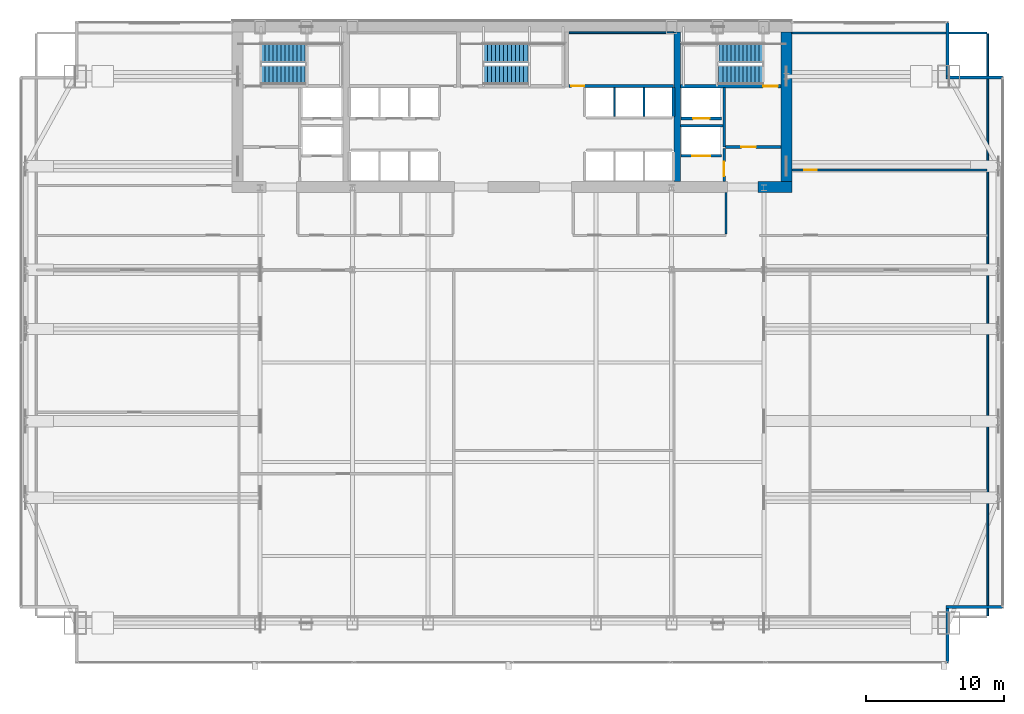
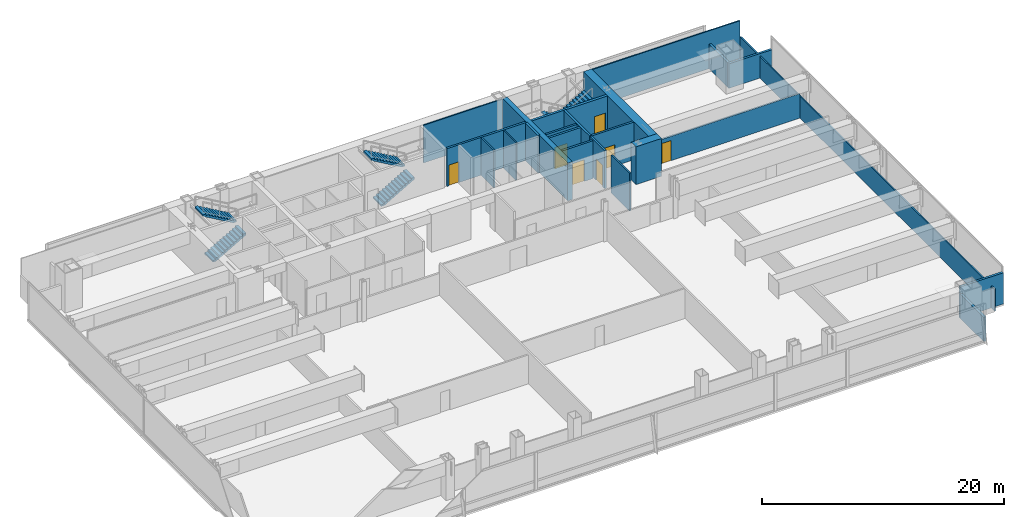
# One storey, part 29 of 32: 23 walls, 7 doors, 6 stair flights, 7 openings, 3 elements without a shape of their own.
"""IFC4 building model written with IfcOpenShell, lengths in metres."""

from ifc_helpers import new_model, si_unit, direction, frame, frame_2d, origin, place, context, subcontext, project, spatial, polyline, rectangle, outline, extrude, material, layer, layer_set, type_object, element, fill, aggregate, save


model = new_model("IFC4")

# Units and contexts
model_context = context("Model", 3, precision=1e-05, world=origin(), true_north=direction((0.0, 1.0)))
body_context = subcontext(model_context, "Body", "Model", "MODEL_VIEW")
ifc_project = project(units=[si_unit("LENGTHUNIT", "METRE"), si_unit("AREAUNIT", "SQUARE_METRE"), si_unit("VOLUMEUNIT", "CUBIC_METRE"), si_unit("PLANEANGLEUNIT", "RADIAN"), si_unit("MASSUNIT", "GRAM", prefix="KILO")], contexts=[model_context])

# Site, building, storey
site_placement = place(None, origin())
site = spatial("IfcSite", under=ifc_project, at=site_placement, CompositionType="ELEMENT")
building_placement = place(site_placement, origin())
building = spatial("IfcBuilding", under=site, at=building_placement, Name="Khoronbel Lancet Exchange", CompositionType="ELEMENT")
storey_placement = place(building_placement, frame((0.0, 0.0, 77.800048828125)))
storey = spatial("IfcBuildingStorey", under=building, at=storey_placement, Name="L18", CompositionType="ELEMENT", Elevation=77.800048828125)

# Walls
ifc_material_1 = material(Name="Concrete C80/95", Category="concrete")
ifc_layer_1 = layer(ifc_material_1, 0.800048828125, Name="Concrete C80/95")
ifc_layer_set_1 = layer_set([ifc_layer_1], Name="Concrete C80/95")
wall_type_1 = type_object("IfcWallType", Name="WL-CW1", PredefinedType="SHEAR", material=ifc_layer_set_1)
wall_1_placement = place(storey_placement, frame((56.300048828125, 52.89990234375, 0.0), z_axis=(0.0, 0.0, 1.0), x_axis=(0.0, -1.0, 0.0)))
element("IfcWall", 1, at=wall_1_placement, inside=storey, type_object=wall_type_1, Name="Level L18 rear core east shear wall", PredefinedType="SHEAR", context=body_context, shape_type="SweptSolid", body=[
    extrude(rectangle(XDim=10.7998046875, YDim=0.800048828125, at=frame_2d((5.39990234375, 0.0))), origin(), (0.0, 0.0, 1.0), 3.820068359375),
])
wall_2_placement = place(storey_placement, frame((56.699951171875, 41.699951171875, 0.0), z_axis=(0.0, 0.0, 1.0), x_axis=(-1.0, 0.0, 0.0)))
element("IfcWall", 2, at=wall_2_placement, inside=storey, type_object=wall_type_1, Name="Level L18 rear core south shear wall pier P5", PredefinedType="SHEAR", context=body_context, shape_type="SweptSolid", body=[
    extrude(rectangle(XDim=2.449951171875, YDim=0.800048828125, at=frame_2d((1.22509765625, 0.0))), origin(), (0.0, 0.0, 1.0), 3.820068359375),
])
ifc_material_2 = material(Name="Precast concrete C40/50", Category="concrete")
ifc_layer_2 = layer(ifc_material_2, 0.25, Name="Precast concrete C40/50")
ifc_layer_set_2 = layer_set([ifc_layer_2], Name="Precast concrete C40/50")
wall_type_2 = type_object("IfcWallType", Name="WL-EXT250", PredefinedType="SOLIDWALL", material=ifc_layer_set_2)
wall_3_placement = place(storey_placement, frame((67.9599609375, 53.6298828125, 0.0), z_axis=(0.0, 0.0, 1.0), x_axis=(0.0, -1.0, 0.0)))
element("IfcWall", 3, at=wall_3_placement, inside=storey, type_object=wall_type_2, Name="Level L18 notched-corner limestone pier 07", PredefinedType="SOLIDWALL", context=body_context, shape_type="SweptSolid", body=[
    extrude(rectangle(XDim=3.909912109375, YDim=0.219970703125, at=frame_2d((1.955078125, 0.0))), origin(), (0.0, 0.0, 1.0), 2.469970703125),
])
wall_4_placement = place(storey_placement, frame((67.85009765625, 49.610107421875, 0.0), z_axis=(0.0, 0.0, 1.0), x_axis=(1.0, 0.0, 0.0)))
element("IfcWall", 4, at=wall_4_placement, inside=storey, type_object=wall_type_2, Name="Level L18 notched-corner limestone pier 08", PredefinedType="SOLIDWALL", context=body_context, shape_type="SweptSolid", body=[
    extrude(rectangle(XDim=4.1298828125, YDim=0.219970703125, at=frame_2d((2.06494140625, 0.0))), origin(), (0.0, 0.0, 1.0), 2.469970703125),
])
wall_5_placement = place(storey_placement, frame((71.97998046875, 11.2900390625, 0.0), z_axis=(0.0, 0.0, 1.0), x_axis=(-1.0, 0.0, 0.0)))
element("IfcWall", 5, at=wall_5_placement, inside=storey, type_object=wall_type_2, Name="Level L18 notched-corner limestone pier 10", PredefinedType="SOLIDWALL", context=body_context, shape_type="SweptSolid", body=[
    extrude(rectangle(XDim=4.1298828125, YDim=0.219970703125, at=frame_2d((2.06494140625, 0.0))), origin(), (0.0, 0.0, 1.0), 3.159912109375),
])
wall_6_placement = place(storey_placement, frame((67.9599609375, 11.179931640625, 0.0), z_axis=(0.0, 0.0, 1.0), x_axis=(0.0, -1.0, 0.0)))
element("IfcWall", 6, at=wall_6_placement, inside=storey, type_object=wall_type_2, Name="Level L18 notched-corner limestone pier 11", PredefinedType="SOLIDWALL", context=body_context, shape_type="SweptSolid", body=[
    extrude(rectangle(XDim=3.909912109375, YDim=0.219970703125, at=frame_2d((1.955078125, 0.0))), origin(), (0.0, 0.0, 1.0), 2.469970703125),
])
ifc_material_3 = material(Name="Acoustic Metal-Stud & Mineral-Wool Gypsum Partition 120 mm", Category="gypsum")
ifc_layer_3 = layer(ifc_material_3, 0.1201171875, Name="Acoustic Metal-Stud & Mineral-Wool Gypsum Partition 120 mm")
ifc_layer_set_3 = layer_set([ifc_layer_3], Name="Acoustic Metal-Stud & Mineral-Wool Gypsum Partition 120 mm")
wall_type_3 = type_object("IfcWallType", Name="WL-PRT120", PredefinedType="PARTITIONING", material=ifc_layer_set_3)
wall_7_placement = place(storey_placement, frame((51.949951171875, 38.280029296875, 0.0), z_axis=(0.0, 0.0, 1.0), x_axis=(0.0, 1.0, 0.0)))
element("IfcWall", 7, at=wall_7_placement, inside=storey, type_object=wall_type_3, Name="Level L18 interior partition PW-NP-1", PredefinedType="PARTITIONING", context=body_context, shape_type="SweptSolid", body=[
    extrude(rectangle(XDim=3.02001953125, YDim=0.14990234375, at=frame_2d((1.510009765625, 0.0))), origin(), (0.0, 0.0, 1.0), 3.820068359375),
])

# Wall, opening, door
wall_8_placement = place(storey_placement, frame((56.699951171875, 42.919921875, 0.0), z_axis=(0.0, 0.0, 1.0), x_axis=(1.0, 0.0, 0.0)))
wall_8 = element("IfcWall", 8, at=wall_8_placement, inside=storey, type_object=wall_type_3, Name="Level L18 interior partition PW-NE-H", PredefinedType="PARTITIONING", context=body_context, shape_type="SweptSolid", body=[
    extrude(rectangle(XDim=14.10498046875, YDim=0.14990234375, at=frame_2d((7.052490234375, 0.0))), origin(), (0.0, 0.0, 1.0), 2.469970703125),
])
opening_1_placement = place(wall_8_placement, frame((0.89990234375, 0.0, 0.0)))
opening_1 = element("IfcOpeningElement", 9, at=opening_1_placement, cuts=wall_8, Name="Opening D5", PredefinedType="OPENING", context=body_context, shape_type="SweptSolid", body=[
    extrude(rectangle(XDim=0.89990234375, YDim=2.050048828125, at=frame_2d((0.449951171875, 1.02490234375))), frame((0.0, 0.0849609375, 0.0), z_axis=(0.0, -1.0, 0.0), x_axis=(1.0, 0.0, 0.0)), (0.0, 0.0, 1.0), 0.169921875),
])
ifc_material_4 = material(Name="Acoustic Timber Pantry & Support Door", Category="wood")
door_type_1 = type_object("IfcDoorType", Name="DR-D5", OperationType="NOTDEFINED", PredefinedType="DOOR", material=ifc_material_4)
door_1_placement = place(opening_1_placement, origin())
door_1 = element("IfcDoor", 10, at=door_1_placement, inside=storey, type_object=door_type_1, Name="NE north room door L18-1", OperationType="SINGLE_SWING_RIGHT", OverallHeight=2.050048828125, OverallWidth=0.89990234375, PredefinedType="DOOR", context=body_context, shape_type="SweptSolid", body=[
    extrude(rectangle(XDim=0.89990234375, YDim=2.050048828125, at=frame_2d((0.449951171875, 1.02490234375))), frame((0.0, 0.02490234375, 0.0), z_axis=(0.0, -1.0, 0.0), x_axis=(1.0, 0.0, 0.0)), (0.0, 0.0, 1.0), 0.050048828125),
])
fill(opening_1, door_1)

# Walls
wall_9_placement = place(storey_placement, frame((70.8701171875, 10.6650390625, 0.0), z_axis=(0.0, 0.0, 1.0), x_axis=(0.0, 1.0, 0.0)))
element("IfcWall", 11, at=wall_9_placement, inside=storey, type_object=wall_type_3, Name="Level L18 interior partition PW-LIN-E", PredefinedType="PARTITIONING", context=body_context, shape_type="SweptSolid", body=[
    extrude(rectangle(XDim=42.10986328125, YDim=0.1201171875, at=frame_2d((21.054931640625, 0.0))), origin(), (0.0, 0.0, 1.0), 2.2099609375),
])
wall_10_placement = place(storey_placement, frame((56.699951171875, 52.840087890625, 0.0), z_axis=(0.0, 0.0, 1.0), x_axis=(1.0, 0.0, 0.0)))
element("IfcWall", 12, at=wall_10_placement, inside=storey, type_object=wall_type_3, Name="Level L18 interior partition PW-LIN-NE", PredefinedType="PARTITIONING", context=body_context, shape_type="SweptSolid", body=[
    extrude(rectangle(XDim=14.10498046875, YDim=0.1201171875, at=frame_2d((7.052490234375, 0.0))), origin(), (0.0, 0.0, 1.0), 3.820068359375),
])
ifc_material_5 = material(Name="Fire-Rated Metal-Stud & Mineral-Wool Gypsum Partition 120 mm", Category="gypsum")
ifc_layer_4 = layer(ifc_material_5, 0.1201171875, Name="Fire-Rated Metal-Stud & Mineral-Wool Gypsum Partition 120 mm")
ifc_layer_set_4 = layer_set([ifc_layer_4], Name="Fire-Rated Metal-Stud & Mineral-Wool Gypsum Partition 120 mm")
wall_type_4 = type_object("IfcWallType", Name="WL-PRT120F", PredefinedType="PARTITIONING", material=ifc_layer_set_4)
for number, where, z_axis, x_axis, name in (
    (13, (43.860107421875, 46.804931640625, 0.0), (0.0, 0.0, 1.0), (0.0, 1.0, 0.0), "Level L18 interior partition CW-PH-D1"),
    (14, (46.0, 46.804931640625, 0.0), (0.0, 0.0, 1.0), (0.0, 1.0, 0.0), "Level L18 interior partition CW-PH-D2"),
):
    element("IfcWall", number, at=place(storey_placement, frame(where, z_axis=z_axis, x_axis=x_axis)), inside=storey, type_object=wall_type_4, Name=name, PredefinedType="PARTITIONING", context=body_context, shape_type="SweptSolid", body=[
        extrude(rectangle(XDim=2.090087890625, YDim=0.1201171875, at=frame_2d((1.044921875, 0.0))), origin(), (0.0, 0.0, 1.0), 3.820068359375),
    ])
wall_11_placement = place(storey_placement, frame((40.580078125, 52.860107421875, 0.0), z_axis=(0.0, 0.0, 1.0), x_axis=(1.0, 0.0, 0.0)))
element("IfcWall", 15, at=wall_11_placement, inside=storey, type_object=wall_type_4, Name="Level L18 interior partition CW-SUP-NE-N", PredefinedType="PARTITIONING", context=body_context, shape_type="SweptSolid", body=[
    extrude(rectangle(XDim=7.559814453125, YDim=0.1201171875, at=frame_2d((3.77978515625, 0.0))), origin(), (0.0, 0.0, 1.0), 3.820068359375),
])

# Wall, opening, door
ifc_material_6 = material(Name="Autoclaved Aerated Concrete Blockwork 200 mm", Category="masonry")
ifc_layer_5 = layer(ifc_material_6, 0.199951171875, Name="Autoclaved Aerated Concrete Blockwork 200 mm")
ifc_layer_set_5 = layer_set([ifc_layer_5], Name="Autoclaved Aerated Concrete Blockwork 200 mm")
wall_type_5 = type_object("IfcWallType", Name="WL-PRT200", PredefinedType="PARTITIONING", material=ifc_layer_set_5)
wall_12_placement = place(storey_placement, frame((51.610107421875, 43.949951171875, 0.0), z_axis=(0.0, 0.0, 1.0), x_axis=(-1.0, 0.0, 0.0)))
wall_12 = element("IfcWall", 16, at=wall_12_placement, inside=storey, type_object=wall_type_5, Name="Level L18 elevator hoistway landing front wall SVLE", PredefinedType="PARTITIONING", context=body_context, shape_type="SweptSolid", body=[
    extrude(rectangle(XDim=2.920166015625, YDim=0.199951171875, at=frame_2d((1.4599609375, 0.0))), origin(), (0.0, 0.0, 1.0), 3.820068359375),
])
opening_2_placement = place(wall_12_placement, frame((0.81005859375, 0.0, 0.0)))
opening_2 = element("IfcOpeningElement", 17, at=opening_2_placement, cuts=wall_12, Name="Opening LD-SVL2", PredefinedType="OPENING", context=body_context, shape_type="SweptSolid", body=[
    extrude(rectangle(XDim=1.300048828125, YDim=2.179931640625, at=frame_2d((0.64990234375, 1.08984375))), frame((0.0, 0.10986328125, 0.0), z_axis=(0.0, -1.0, 0.0), x_axis=(1.0, 0.0, 0.0)), (0.0, 0.0, 1.0), 0.219970703125),
])
ifc_material_7 = material(Name="Heavy-Duty Bi-Parting Goods Lift Landing Door", Category="steel")
door_type_2 = type_object("IfcDoorType", Name="DR-LD-SVL", OperationType="NOTDEFINED", PredefinedType="DOOR", material=ifc_material_7)
door_2_placement = place(opening_2_placement, origin())
door_2 = element("IfcDoor", 18, at=door_2_placement, inside=storey, type_object=door_type_2, Name="Elevator landing sliding door LD-SVL2 L18", OperationType="SLIDING_TO_LEFT", OverallHeight=2.179931640625, OverallWidth=1.300048828125, PredefinedType="DOOR", context=body_context, shape_type="SweptSolid", body=[
    extrude(rectangle(XDim=1.300048828125, YDim=2.179931640625, at=frame_2d((0.64990234375, 1.08984375))), frame((0.0, 0.02490234375, 0.0), z_axis=(0.0, -1.0, 0.0), x_axis=(1.0, 0.0, 0.0)), (0.0, 0.0, 1.0), 0.050048828125),
])
fill(opening_2, door_2)

wall_13_placement = place(storey_placement, frame((51.610107421875, 46.64990234375, 0.0), z_axis=(0.0, 0.0, 1.0), x_axis=(-1.0, 0.0, 0.0)))
wall_13 = element("IfcWall", 19, at=wall_13_placement, inside=storey, type_object=wall_type_5, Name="Level L18 elevator hoistway landing front wall FFLE", PredefinedType="PARTITIONING", context=body_context, shape_type="SweptSolid", body=[
    extrude(rectangle(XDim=2.920166015625, YDim=0.199951171875, at=frame_2d((1.4599609375, 0.0))), origin(), (0.0, 0.0, 1.0), 3.820068359375),
])
opening_3_placement = place(wall_13_placement, frame((0.860107421875, 0.0, 0.0)))
opening_3 = element("IfcOpeningElement", 20, at=opening_3_placement, cuts=wall_13, Name="Opening LD-FFL2", PredefinedType="OPENING", context=body_context, shape_type="SweptSolid", body=[
    extrude(rectangle(XDim=1.199951171875, YDim=2.179931640625, at=frame_2d((0.60009765625, 1.08984375))), frame((0.0, 0.10986328125, 0.0), z_axis=(0.0, -1.0, 0.0), x_axis=(1.0, 0.0, 0.0)), (0.0, 0.0, 1.0), 0.219970703125),
])
ifc_material_8 = material(Name="Fire-Rated Stainless Bi-Parting Firefighting Lift Door", Category="steel")
door_type_3 = type_object("IfcDoorType", Name="DR-LD-FFL", OperationType="NOTDEFINED", PredefinedType="DOOR", material=ifc_material_8)
door_3_placement = place(opening_3_placement, origin())
door_3 = element("IfcDoor", 21, at=door_3_placement, inside=storey, type_object=door_type_3, Name="Elevator landing sliding door LD-FFL2 L18", OperationType="SLIDING_TO_LEFT", OverallHeight=2.179931640625, OverallWidth=1.199951171875, PredefinedType="DOOR", context=body_context, shape_type="SweptSolid", body=[
    extrude(rectangle(XDim=1.199951171875, YDim=2.179931640625, at=frame_2d((0.60009765625, 1.08984375))), frame((0.0, 0.02490234375, 0.0), z_axis=(0.0, -1.0, 0.0), x_axis=(1.0, 0.0, 0.0)), (0.0, 0.0, 1.0), 0.050048828125),
])
fill(opening_3, door_3)

# Wall
wall_14_placement = place(storey_placement, frame((51.800048828125, 44.60009765625, 0.0), z_axis=(0.0, 0.0, 1.0), x_axis=(0.0, 1.0, 0.0)))
element("IfcWall", 22, at=wall_14_placement, inside=storey, type_object=wall_type_5, Name="Level L18 interior partition CW-FFLE-W", PredefinedType="PARTITIONING", context=body_context, shape_type="SweptSolid", body=[
    extrude(rectangle(XDim=4.2998046875, YDim=0.199951171875, at=frame_2d((2.14990234375, 0.0))), origin(), (0.0, 0.0, 1.0), 3.820068359375),
])

# Wall, opening, door
wall_15_placement = place(storey_placement, frame((51.89990234375, 44.60009765625, 0.0), z_axis=(0.0, 0.0, 1.0), x_axis=(1.0, 0.0, 0.0)))
wall_15 = element("IfcWall", 23, at=wall_15_placement, inside=storey, type_object=wall_type_5, Name="Level L18 interior partition CW-FFLE-S", PredefinedType="PARTITIONING", context=body_context, shape_type="SweptSolid", body=[
    extrude(rectangle(XDim=4.0, YDim=0.199951171875, at=frame_2d((2.0, 0.0))), origin(), (0.0, 0.0, 1.0), 3.820068359375),
])
opening_4_placement = place(wall_15_placement, frame((1.14990234375, 0.0, 0.0)))
opening_4 = element("IfcOpeningElement", 24, at=opening_4_placement, cuts=wall_15, Name="Opening FD1", PredefinedType="OPENING", context=body_context, shape_type="SweptSolid", body=[
    extrude(rectangle(XDim=1.050048828125, YDim=2.14990234375, at=frame_2d((0.52490234375, 1.074951171875))), frame((0.0, 0.10986328125, 0.0), z_axis=(0.0, -1.0, 0.0), x_axis=(1.0, 0.0, 0.0)), (0.0, 0.0, 1.0), 0.219970703125),
])
ifc_material_9 = material(Name="Fire-Rated Painted Steel Door Assembly", Category="steel")
door_type_4 = type_object("IfcDoorType", Name="DR-FD1", OperationType="NOTDEFINED", PredefinedType="DOOR", material=ifc_material_9)
door_4_placement = place(opening_4_placement, origin())
door_4 = element("IfcDoor", 25, at=door_4_placement, inside=storey, type_object=door_type_4, Name="East firefighting lobby FD90S door L18-1", OperationType="SINGLE_SWING_RIGHT", OverallHeight=2.14990234375, OverallWidth=1.050048828125, PredefinedType="DOOR", context=body_context, shape_type="SweptSolid", body=[
    extrude(rectangle(XDim=1.050048828125, YDim=2.14990234375, at=frame_2d((0.52490234375, 1.074951171875))), frame((0.0, 0.02490234375, 0.0), z_axis=(0.0, -1.0, 0.0), x_axis=(1.0, 0.0, 0.0)), (0.0, 0.0, 1.0), 0.050048828125),
])
fill(opening_4, door_4)

# Wall
wall_16_placement = place(storey_placement, frame((48.6298828125, 46.1201171875, 0.0), z_axis=(0.0, 0.0, 1.0), x_axis=(1.0, 0.0, 0.0)))
element("IfcWall", 26, at=wall_16_placement, inside=storey, type_object=wall_type_5, Name="Level L18 interior partition CW-FFL2-S", PredefinedType="PARTITIONING", context=body_context, shape_type="SweptSolid", body=[
    extrude(rectangle(XDim=3.070068359375, YDim=0.199951171875, at=frame_2d((1.53515625, 0.0))), origin(), (0.0, 0.0, 1.0), 3.820068359375),
])

# Wall, opening, door
wall_17_placement = place(storey_placement, frame((51.800048828125, 42.10009765625, 0.0), z_axis=(0.0, 0.0, 1.0), x_axis=(0.0, 1.0, 0.0)))
wall_17 = element("IfcWall", 27, at=wall_17_placement, inside=storey, type_object=wall_type_5, Name="Level L18 interior partition CW-SVLE-E", PredefinedType="PARTITIONING", context=body_context, shape_type="SweptSolid", body=[
    extrude(rectangle(XDim=2.39501953125, YDim=0.199951171875, at=frame_2d((1.197509765625, 0.0))), origin(), (0.0, 0.0, 1.0), 3.820068359375),
])
opening_5_placement = place(wall_17_placement, frame((0.3798828125, 0.0, 0.0)))
opening_5 = element("IfcOpeningElement", 28, at=opening_5_placement, cuts=wall_17, Name="Opening FD1", PredefinedType="OPENING", context=body_context, shape_type="SweptSolid", body=[
    extrude(rectangle(XDim=1.050048828125, YDim=2.14990234375, at=frame_2d((0.52490234375, 1.074951171875))), frame((0.0, 0.10986328125, 0.0), z_axis=(0.0, -1.0, 0.0), x_axis=(1.0, 0.0, 0.0)), (0.0, 0.0, 1.0), 0.219970703125),
])
door_5_placement = place(opening_5_placement, origin())
door_5 = element("IfcDoor", 29, at=door_5_placement, inside=storey, type_object=door_type_4, Name="East service lift lobby door L18-1", OperationType="SINGLE_SWING_LEFT", OverallHeight=2.14990234375, OverallWidth=1.050048828125, PredefinedType="DOOR", context=body_context, shape_type="SweptSolid", body=[
    extrude(rectangle(XDim=1.050048828125, YDim=2.14990234375, at=frame_2d((0.52490234375, 1.074951171875))), frame((0.0, 0.02490234375, 0.0), z_axis=(0.0, -1.0, 0.0), x_axis=(1.0, 0.0, 0.0)), (0.0, 0.0, 1.0), 0.050048828125),
])
fill(opening_5, door_5)

# Wall
wall_18_placement = place(storey_placement, frame((48.139892578125, 46.804931640625, 0.0), z_axis=(0.0, 0.0, 1.0), x_axis=(0.0, 1.0, 0.0)))
element("IfcWall", 30, at=wall_18_placement, inside=storey, type_object=wall_type_5, Name="Level L18 interior partition CW-PH-E", PredefinedType="PARTITIONING", context=body_context, shape_type="SweptSolid", body=[
    extrude(rectangle(XDim=2.090087890625, YDim=0.199951171875, at=frame_2d((1.044921875, 0.0))), origin(), (0.0, 0.0, 1.0), 3.820068359375),
])

# Wall, opening, door
wall_19_placement = place(storey_placement, frame((40.580078125, 49.0, 0.0), z_axis=(0.0, 0.0, 1.0), x_axis=(1.0, 0.0, 0.0)))
wall_19 = element("IfcWall", 31, at=wall_19_placement, inside=storey, type_object=wall_type_5, Name="Level L18 interior partition CW-SUP-NE-S", PredefinedType="PARTITIONING", context=body_context, shape_type="SweptSolid", body=[
    extrude(rectangle(XDim=7.559814453125, YDim=0.199951171875, at=frame_2d((3.77978515625, 0.0))), origin(), (0.0, 0.0, 1.0), 3.820068359375),
])
opening_6_placement = place(wall_19_placement, frame((0.159912109375, 0.0, 0.0)))
opening_6 = element("IfcOpeningElement", 32, at=opening_6_placement, cuts=wall_19, Name="Opening FD3", PredefinedType="OPENING", context=body_context, shape_type="SweptSolid", body=[
    extrude(rectangle(XDim=0.949951171875, YDim=2.10009765625, at=frame_2d((0.47509765625, 1.050048828125))), frame((0.0, 0.10986328125, 0.0), z_axis=(0.0, -1.0, 0.0), x_axis=(1.0, 0.0, 0.0)), (0.0, 0.0, 1.0), 0.219970703125),
])
ifc_material_10 = material(Name="Fire-Rated Steel Plant & Riser Door Assembly", Category="steel")
door_type_5 = type_object("IfcDoorType", Name="DR-FD3", OperationType="NOTDEFINED", PredefinedType="DOOR", material=ifc_material_10)
door_6_placement = place(opening_6_placement, origin())
door_6 = element("IfcDoor", 33, at=door_6_placement, inside=storey, type_object=door_type_5, Name="Core NE support room door L18-1", OperationType="SINGLE_SWING_LEFT", OverallHeight=2.10009765625, OverallWidth=0.949951171875, PredefinedType="DOOR", context=body_context, shape_type="SweptSolid", body=[
    extrude(rectangle(XDim=0.949951171875, YDim=2.10009765625, at=frame_2d((0.47509765625, 1.050048828125))), frame((0.0, 0.02490234375, 0.0), z_axis=(0.0, -1.0, 0.0), x_axis=(1.0, 0.0, 0.0)), (0.0, 0.0, 1.0), 0.050048828125),
])
fill(opening_6, door_6)

# Wall
ifc_layer_6 = layer(ifc_material_1, 0.449951171875, Name="Concrete C80/95")
ifc_layer_set_6 = layer_set([ifc_layer_6], Name="Concrete C80/95")
wall_type_6 = type_object("IfcWallType", Name="WL-SW1", PredefinedType="SHEAR", material=ifc_layer_set_6)
wall_20_placement = place(storey_placement, frame((48.39990234375, 42.10009765625, 0.0), z_axis=(0.0, 0.0, 1.0), x_axis=(0.0, 1.0, 0.0)))
element("IfcWall", 34, at=wall_20_placement, inside=storey, type_object=wall_type_6, Name="Level L18 rear core internal spine shear wall IE", PredefinedType="SHEAR", context=body_context, shape_type="SweptSolid", body=[
    extrude(rectangle(XDim=10.7998046875, YDim=0.449951171875, at=frame_2d((5.39990234375, 0.0))), origin(), (0.0, 0.0, 1.0), 3.820068359375),
])

# Wall, opening, door
ifc_material_11 = material(Name="Concrete C60/75", Category="concrete")
ifc_layer_7 = layer(ifc_material_11, 0.260009765625, Name="Concrete C60/75")
ifc_layer_set_7 = layer_set([ifc_layer_7], Name="Concrete C60/75")
wall_type_7 = type_object("IfcWallType", Name="WL-SW3", PredefinedType="SHEAR", material=ifc_layer_set_7)
wall_21_placement = place(storey_placement, frame((48.6298828125, 48.97998046875, 0.0), z_axis=(0.0, 0.0, 1.0), x_axis=(1.0, 0.0, 0.0)))
wall_21 = element("IfcWall", 35, at=wall_21_placement, inside=storey, type_object=wall_type_7, Name="Level L18 east stairwell structural south wall", PredefinedType="SHEAR", context=body_context, shape_type="SweptSolid", body=[
    extrude(rectangle(XDim=7.27001953125, YDim=0.239990234375, at=frame_2d((3.635009765625, 0.0))), origin(), (0.0, 0.0, 1.0), 3.820068359375),
])
opening_7_placement = place(wall_21_placement, frame((6.0, 0.0, 0.0)))
opening_7 = element("IfcOpeningElement", 36, at=opening_7_placement, cuts=wall_21, Name="Opening SD1", PredefinedType="OPENING", context=body_context, shape_type="SweptSolid", body=[
    extrude(rectangle(XDim=1.050048828125, YDim=2.14990234375, at=frame_2d((0.52490234375, 1.074951171875))), frame((0.0, 0.1298828125, 0.0), z_axis=(0.0, -1.0, 0.0), x_axis=(1.0, 0.0, 0.0)), (0.0, 0.0, 1.0), 0.260009765625),
])
ifc_material_12 = material(Name="Fire-Rated Steel Stairwell Door Assembly", Category="steel")
door_type_6 = type_object("IfcDoorType", Name="DR-SD1", OperationType="NOTDEFINED", PredefinedType="DOOR", material=ifc_material_12)
door_7_placement = place(opening_7_placement, origin())
door_7 = element("IfcDoor", 37, at=door_7_placement, inside=storey, type_object=door_type_6, Name="Protected exit stair ST2 door L18", OperationType="SINGLE_SWING_RIGHT", OverallHeight=2.14990234375, OverallWidth=1.050048828125, PredefinedType="DOOR", context=body_context, shape_type="SweptSolid", body=[
    extrude(rectangle(XDim=1.050048828125, YDim=2.14990234375, at=frame_2d((0.52490234375, 1.074951171875))), frame((0.0, 0.02490234375, 0.0), z_axis=(0.0, -1.0, 0.0), x_axis=(1.0, 0.0, 0.0)), (0.0, 0.0, 1.0), 0.050048828125),
])
fill(opening_7, door_7)

# Stair, stair flights
ifc_material_13 = material(Name="Concrete C40/50", Category="concrete")
stair_type = type_object("IfcStairType", Name="STR-CORE150", PredefinedType="HALF_TURN_STAIR", material=ifc_material_13)
stair_1_placement = place(storey_placement, origin())
stair_1 = element("IfcStair", 38, at=stair_1_placement, inside=storey, type_object=stair_type, Name="L18 Protected Exit Stair ST1", PredefinedType="HALF_TURN_STAIR")
stair_flight_type = type_object("IfcStairFlightType", Name="STF-150", PredefinedType="STRAIGHT", material=ifc_material_13)
stair_flight_1_placement = place(storey_placement, frame((18.300048828125, 49.81005859375, 0.0), z_axis=(0.0, 0.0, 1.0), x_axis=(1.0, 0.0, 0.0)))
stair_flight_1 = element("IfcStairFlight", 39, at=stair_flight_1_placement, type_object=stair_flight_type, Name="ST1 flight 1", NumberOfRisers=12, NumberOfTreads=11, PredefinedType="STRAIGHT", RiserHeight=0.166666667, TreadLength=0.29, context=body_context, shape_type="SweptSolid", body=[
    extrude(outline(polyline([(0.0, 0.0), (0.0, 0.166748046875), (0.2900390625, 0.166748046875), (0.2900390625, 0.333251953125), (0.580078125, 0.333251953125), (0.580078125, 0.5), (0.8701171875, 0.5), (0.8701171875, 0.666748046875), (1.159912109375, 0.666748046875), (1.159912109375, 0.833251953125), (1.449951171875, 0.833251953125), (1.449951171875, 1.0), (1.739990234375, 1.0), (1.739990234375, 1.166748046875), (2.030029296875, 1.166748046875), (2.030029296875, 1.333251953125), (2.320068359375, 1.333251953125), (2.320068359375, 1.5), (2.610107421875, 1.5), (2.610107421875, 1.666748046875), (2.89990234375, 1.666748046875), (2.89990234375, 1.833251953125), (3.18994140625, 1.833251953125), (3.18994140625, 2.0), (3.18994140625, 1.660400390625), (0.30078125, 0.0), (0.0, 0.0)])), frame((0.0, 0.68994140625, 0.0), z_axis=(0.0, -1.0, 0.0), x_axis=(1.0, 0.0, 0.0)), (0.0, 0.0, 1.0), 1.3798828125),
])
stair_flight_2_placement = place(storey_placement, frame((21.489990234375, 51.409912109375, 2.0), z_axis=(0.0, 0.0, 1.0), x_axis=(-1.0, 0.0, 0.0)))
stair_flight_2 = element("IfcStairFlight", 40, at=stair_flight_2_placement, type_object=stair_flight_type, Name="ST1 flight 2", NumberOfRisers=12, NumberOfTreads=11, PredefinedType="STRAIGHT", RiserHeight=0.166666667, TreadLength=0.29, context=body_context, shape_type="SweptSolid", body=[
    extrude(outline(polyline([(0.0, 0.0), (0.0, 0.166748046875), (0.2900390625, 0.166748046875), (0.2900390625, 0.333251953125), (0.580078125, 0.333251953125), (0.580078125, 0.5), (0.8701171875, 0.5), (0.8701171875, 0.666748046875), (1.159912109375, 0.666748046875), (1.159912109375, 0.833251953125), (1.449951171875, 0.833251953125), (1.449951171875, 1.0), (1.739990234375, 1.0), (1.739990234375, 1.166748046875), (2.030029296875, 1.166748046875), (2.030029296875, 1.333251953125), (2.320068359375, 1.333251953125), (2.320068359375, 1.5), (2.610107421875, 1.5), (2.610107421875, 1.666748046875), (2.89990234375, 1.666748046875), (2.89990234375, 1.833251953125), (3.18994140625, 1.833251953125), (3.18994140625, 2.0), (3.18994140625, 1.660400390625), (0.30078125, 0.0), (0.0, 0.0)])), frame((0.0, 0.68994140625, 0.0), z_axis=(0.0, -1.0, 0.0), x_axis=(1.0, 0.0, 0.0)), (0.0, 0.0, 1.0), 1.3798828125),
])
aggregate(stair_1, [stair_flight_1, stair_flight_2])

stair_2_placement = place(storey_placement, origin())
stair_2 = element("IfcStair", 41, at=stair_2_placement, inside=storey, type_object=stair_type, Name="L18 Protected Exit Stair ST2", PredefinedType="HALF_TURN_STAIR")
stair_flight_3_placement = place(storey_placement, frame((54.60009765625, 51.409912109375, 0.0), z_axis=(0.0, 0.0, 1.0), x_axis=(-1.0, 0.0, 0.0)))
stair_flight_3 = element("IfcStairFlight", 42, at=stair_flight_3_placement, type_object=stair_flight_type, Name="ST2 flight 1", NumberOfRisers=12, NumberOfTreads=11, PredefinedType="STRAIGHT", RiserHeight=0.166666667, TreadLength=0.29, context=body_context, shape_type="SweptSolid", body=[
    extrude(outline(polyline([(0.0, 0.0), (0.0, 0.166748046875), (0.2900390625, 0.166748046875), (0.2900390625, 0.333251953125), (0.580078125, 0.333251953125), (0.580078125, 0.5), (0.8701171875, 0.5), (0.8701171875, 0.666748046875), (1.159912109375, 0.666748046875), (1.159912109375, 0.833251953125), (1.449951171875, 0.833251953125), (1.449951171875, 1.0), (1.739990234375, 1.0), (1.739990234375, 1.166748046875), (2.030029296875, 1.166748046875), (2.030029296875, 1.333251953125), (2.320068359375, 1.333251953125), (2.320068359375, 1.5), (2.610107421875, 1.5), (2.610107421875, 1.666748046875), (2.89990234375, 1.666748046875), (2.89990234375, 1.833251953125), (3.18994140625, 1.833251953125), (3.18994140625, 2.0), (3.18994140625, 1.660400390625), (0.30078125, 0.0), (0.0, 0.0)])), frame((0.0, 0.68994140625, 0.0), z_axis=(0.0, -1.0, 0.0), x_axis=(1.0, 0.0, 0.0)), (0.0, 0.0, 1.0), 1.3798828125),
])
stair_flight_4_placement = place(storey_placement, frame((51.409912109375, 49.81005859375, 2.0), z_axis=(0.0, 0.0, 1.0), x_axis=(1.0, 0.0, 0.0)))
stair_flight_4 = element("IfcStairFlight", 43, at=stair_flight_4_placement, type_object=stair_flight_type, Name="ST2 flight 2", NumberOfRisers=12, NumberOfTreads=11, PredefinedType="STRAIGHT", RiserHeight=0.166666667, TreadLength=0.29, context=body_context, shape_type="SweptSolid", body=[
    extrude(outline(polyline([(0.0, 0.0), (0.0, 0.166748046875), (0.2900390625, 0.166748046875), (0.2900390625, 0.333251953125), (0.580078125, 0.333251953125), (0.580078125, 0.5), (0.8701171875, 0.5), (0.8701171875, 0.666748046875), (1.159912109375, 0.666748046875), (1.159912109375, 0.833251953125), (1.449951171875, 0.833251953125), (1.449951171875, 1.0), (1.739990234375, 1.0), (1.739990234375, 1.166748046875), (2.030029296875, 1.166748046875), (2.030029296875, 1.333251953125), (2.320068359375, 1.333251953125), (2.320068359375, 1.5), (2.610107421875, 1.5), (2.610107421875, 1.666748046875), (2.89990234375, 1.666748046875), (2.89990234375, 1.833251953125), (3.18994140625, 1.833251953125), (3.18994140625, 2.0), (3.18994140625, 1.660400390625), (0.30078125, 0.0), (0.0, 0.0)])), frame((0.0, 0.68994140625, 0.0), z_axis=(0.0, -1.0, 0.0), x_axis=(1.0, 0.0, 0.0)), (0.0, 0.0, 1.0), 1.3798828125),
])
aggregate(stair_2, [stair_flight_3, stair_flight_4])

stair_3_placement = place(storey_placement, origin())
stair_3 = element("IfcStair", 44, at=stair_3_placement, inside=storey, type_object=stair_type, Name="L18 Protected Exit Stair ST3", PredefinedType="HALF_TURN_STAIR")
stair_flight_5_placement = place(storey_placement, frame((34.39990234375, 49.81005859375, 0.0), z_axis=(0.0, 0.0, 1.0), x_axis=(1.0, 0.0, 0.0)))
stair_flight_5 = element("IfcStairFlight", 45, at=stair_flight_5_placement, type_object=stair_flight_type, Name="ST3 flight 1", NumberOfRisers=12, NumberOfTreads=11, PredefinedType="STRAIGHT", RiserHeight=0.166666667, TreadLength=0.29, context=body_context, shape_type="SweptSolid", body=[
    extrude(outline(polyline([(0.0, 0.0), (0.0, 0.166748046875), (0.2900390625, 0.166748046875), (0.2900390625, 0.333251953125), (0.580078125, 0.333251953125), (0.580078125, 0.5), (0.8701171875, 0.5), (0.8701171875, 0.666748046875), (1.159912109375, 0.666748046875), (1.159912109375, 0.833251953125), (1.449951171875, 0.833251953125), (1.449951171875, 1.0), (1.739990234375, 1.0), (1.739990234375, 1.166748046875), (2.030029296875, 1.166748046875), (2.030029296875, 1.333251953125), (2.320068359375, 1.333251953125), (2.320068359375, 1.5), (2.610107421875, 1.5), (2.610107421875, 1.666748046875), (2.89990234375, 1.666748046875), (2.89990234375, 1.833251953125), (3.18994140625, 1.833251953125), (3.18994140625, 2.0), (3.18994140625, 1.660400390625), (0.30078125, 0.0), (0.0, 0.0)])), frame((0.0, 0.68994140625, 0.0), z_axis=(0.0, -1.0, 0.0), x_axis=(1.0, 0.0, 0.0)), (0.0, 0.0, 1.0), 1.3798828125),
])
stair_flight_6_placement = place(storey_placement, frame((37.590087890625, 51.409912109375, 2.0), z_axis=(0.0, 0.0, 1.0), x_axis=(-1.0, 0.0, 0.0)))
stair_flight_6 = element("IfcStairFlight", 46, at=stair_flight_6_placement, type_object=stair_flight_type, Name="ST3 flight 2", NumberOfRisers=12, NumberOfTreads=11, PredefinedType="STRAIGHT", RiserHeight=0.166666667, TreadLength=0.29, context=body_context, shape_type="SweptSolid", body=[
    extrude(outline(polyline([(0.0, 0.0), (0.0, 0.166748046875), (0.2900390625, 0.166748046875), (0.2900390625, 0.333251953125), (0.580078125, 0.333251953125), (0.580078125, 0.5), (0.8701171875, 0.5), (0.8701171875, 0.666748046875), (1.159912109375, 0.666748046875), (1.159912109375, 0.833251953125), (1.449951171875, 0.833251953125), (1.449951171875, 1.0), (1.739990234375, 1.0), (1.739990234375, 1.166748046875), (2.030029296875, 1.166748046875), (2.030029296875, 1.333251953125), (2.320068359375, 1.333251953125), (2.320068359375, 1.5), (2.610107421875, 1.5), (2.610107421875, 1.666748046875), (2.89990234375, 1.666748046875), (2.89990234375, 1.833251953125), (3.18994140625, 1.833251953125), (3.18994140625, 2.0), (3.18994140625, 1.660400390625), (0.30078125, 0.0), (0.0, 0.0)])), frame((0.0, 0.68994140625, 0.0), z_axis=(0.0, -1.0, 0.0), x_axis=(1.0, 0.0, 0.0)), (0.0, 0.0, 1.0), 1.3798828125),
])
aggregate(stair_3, [stair_flight_5, stair_flight_6])

save(model, "model.ifc")
